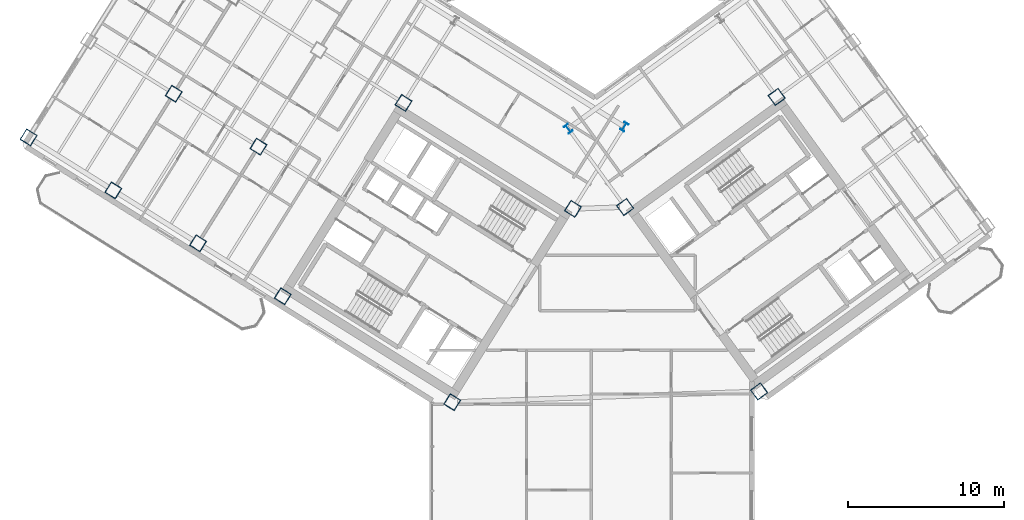
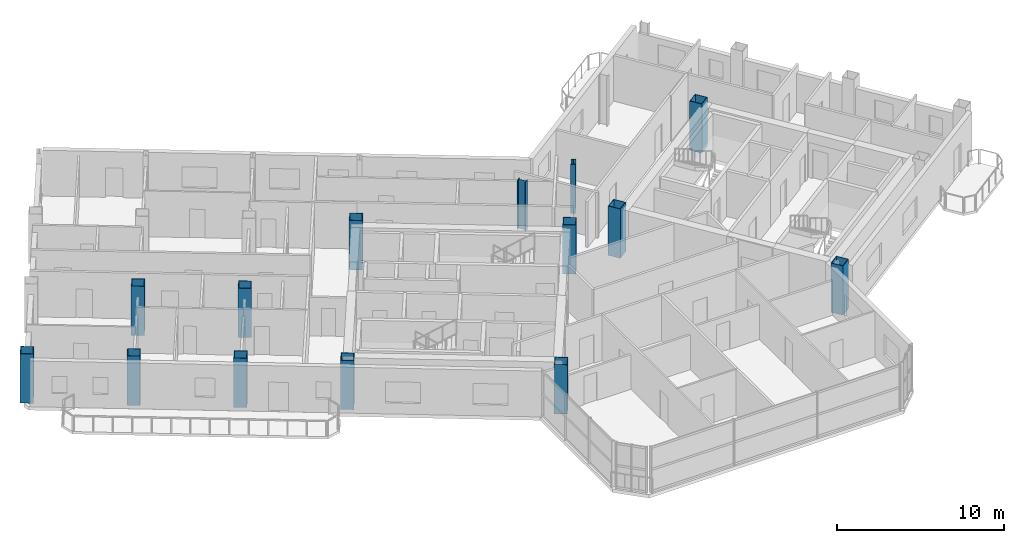
# One storey, part 1 of 20: 14 columns.
"""IFC4 building model written with IfcOpenShell, lengths in metres."""

from ifc_helpers import new_model, si_unit, direction, frame, origin, origin_2d, place, context, subcontext, project, spatial, hollow_rectangle, i_section, extrude, source, transform, mapped, material, material_profile, profile_set, type_object, element, save


model = new_model("IFC4")

# Units and contexts
model_context = context("Model", 3, precision=1e-05, world=origin(), true_north=direction((0.0, 1.0)))
body_context = subcontext(model_context, "Body", "Model", "MODEL_VIEW")
ifc_project = project(units=[si_unit("LENGTHUNIT", "METRE"), si_unit("AREAUNIT", "SQUARE_METRE"), si_unit("VOLUMEUNIT", "CUBIC_METRE"), si_unit("PLANEANGLEUNIT", "RADIAN"), si_unit("MASSUNIT", "GRAM", prefix="KILO")], contexts=[model_context])

# Site, building, storey
site_placement = place(None, origin())
site = spatial("IfcSite", under=ifc_project, at=site_placement, CompositionType="ELEMENT")
building_placement = place(site_placement, origin())
building = spatial("IfcBuilding", under=site, at=building_placement, Name="Tlacorven Tower", CompositionType="ELEMENT")
storey_placement = place(building_placement, frame((0.0, 0.0, 187.800048828125)))
storey = spatial("IfcBuildingStorey", under=building, at=storey_placement, Name="L47", CompositionType="ELEMENT", Elevation=187.800048828125)

# Columns
ifc_material = material(Name="Steel S460M", Category="steel")
ifc_material_profile_1 = material_profile(ifc_material, i_section(OverallWidth=0.300048828125, OverallDepth=0.550048828125, WebThickness=0.014892578125, FlangeThickness=0.029052734375, at=origin_2d()), Name="HEB 550")
ifc_profile_set_1 = profile_set([ifc_material_profile_1], Name="Steel S460M")
column_type_1 = type_object("IfcColumnType", Name="COL-TWR-P2", PredefinedType="COLUMN", material=ifc_profile_set_1)
shared_shape_1 = source(origin(), body_context, "Body", "SweptSolid", [
    extrude(i_section(OverallWidth=0.300048828125, OverallDepth=0.550048828125, WebThickness=0.014892578125, FlangeThickness=0.029052734375, at=origin_2d()), origin(), (0.0, 0.0, 1.0), 3.599853515625),
])
for number, where, z_axis, x_axis, name in (
    (1, (44.068359375, 29.726318359375, 0.0), (0.0, 0.0, 1.0), (-0.848048096156, 0.529919264233, 0.0), "L47 column COL-L47-W1-1"),
    (2, (40.4794921875, 29.60107421875, 0.0), (0.0, 0.0, 1.0), (0.809016994375, 0.587785252292, 0.0), "L47 column COL-L47-E1-4"),
):
    element("IfcColumn", number, at=place(storey_placement, frame(where, z_axis=z_axis, x_axis=x_axis)), inside=storey, type_object=column_type_1, Name=name, PredefinedType="COLUMN", context=body_context, shape_type="MappedRepresentation", body=[
        mapped(shared_shape_1, transform((0.0, 0.0, 0.0), scale=1.0)),
    ])
ifc_material_profile_2 = material_profile(ifc_material, hollow_rectangle(XDim=0.800048828125, YDim=0.800048828125, WallThickness=0.031982421875, at=origin_2d()), Name="BOX 800X800X32")
ifc_profile_set_2 = profile_set([ifc_material_profile_2], Name="Steel S460M")
column_type_2 = type_object("IfcColumnType", Name="COL-TWR-S3", PredefinedType="COLUMN", material=ifc_profile_set_2)
shared_shape_2 = source(origin(), body_context, "Body", "SweptSolid", [
    extrude(hollow_rectangle(XDim=0.800048828125, YDim=0.800048828125, WallThickness=0.031982421875, at=origin_2d()), origin(), (0.0, 0.0, 1.0), 3.599853515625),
])
for number, where, z_axis, x_axis, name in (
    (3, (40.782958984375, 24.468505859375, 0.0), (0.0, 0.0, 1.0), (-0.848048096156, 0.529919264233, 0.0), "L47 column COL-L47-W1-2"),
    (4, (33.046142578125, 12.0869140625, 0.0), (0.0, 0.0, 1.0), (-0.848048096156, 0.529919264233, 0.0), "L47 column COL-L47-W1-4"),
    (5, (29.927978515625, 31.25146484375, 0.0), (0.0, 0.0, 1.0), (-0.848048096156, 0.529919264233, 0.0), "L47 column COL-L47-W3-2"),
    (6, (22.191162109375, 18.869873046875, 0.0), (0.0, 0.0, 1.0), (-0.848048096156, 0.529919264233, 0.0), "L47 column COL-L47-W3-4"),
    (7, (20.632080078125, 28.4521484375, 0.0), (0.0, 0.0, 1.0), (-0.848048096156, 0.529919264233, 0.0), "L47 column COL-L47-W4-3"),
    (8, (16.763671875, 22.26123046875, 0.0), (0.0, 0.0, 1.0), (-0.848048096156, 0.529919264233, 0.0), "L47 column COL-L47-W4-4"),
    (9, (15.20458984375, 31.843505859375, 0.0), (0.0, 0.0, 1.0), (-0.848048096156, 0.529919264233, 0.0), "L47 column COL-L47-W5-3"),
    (10, (11.336181640625, 25.65283203125, 0.0), (0.0, 0.0, 1.0), (-0.848048096156, 0.529919264233, 0.0), "L47 column COL-L47-W5-4"),
    (11, (5.90869140625, 29.044189453125, 0.0), (0.0, 0.0, 1.0), (-0.848048096156, 0.529919264233, 0.0), "L47 column COL-L47-W6-4"),
    (12, (52.705322265625, 12.7734375, 0.0), (0.0, 0.0, 1.0), (0.809016994375, 0.587785252292, 0.0), "L47 column COL-L47-E1-1"),
    (13, (44.123779296875, 24.5849609375, 0.0), (0.0, 0.0, 1.0), (0.809016994375, 0.587785252292, 0.0), "L47 column COL-L47-E1-3"),
    (14, (53.83203125, 31.638427734375, 0.0), (0.0, 0.0, 1.0), (0.809016994375, 0.587785252292, 0.0), "L47 column COL-L47-E3-3"),
):
    element("IfcColumn", number, at=place(storey_placement, frame(where, z_axis=z_axis, x_axis=x_axis)), inside=storey, type_object=column_type_2, Name=name, PredefinedType="COLUMN", context=body_context, shape_type="MappedRepresentation", body=[
        mapped(shared_shape_2, transform((0.0, 0.0, 0.0), scale=1.0)),
    ])

save(model, "model.ifc")
